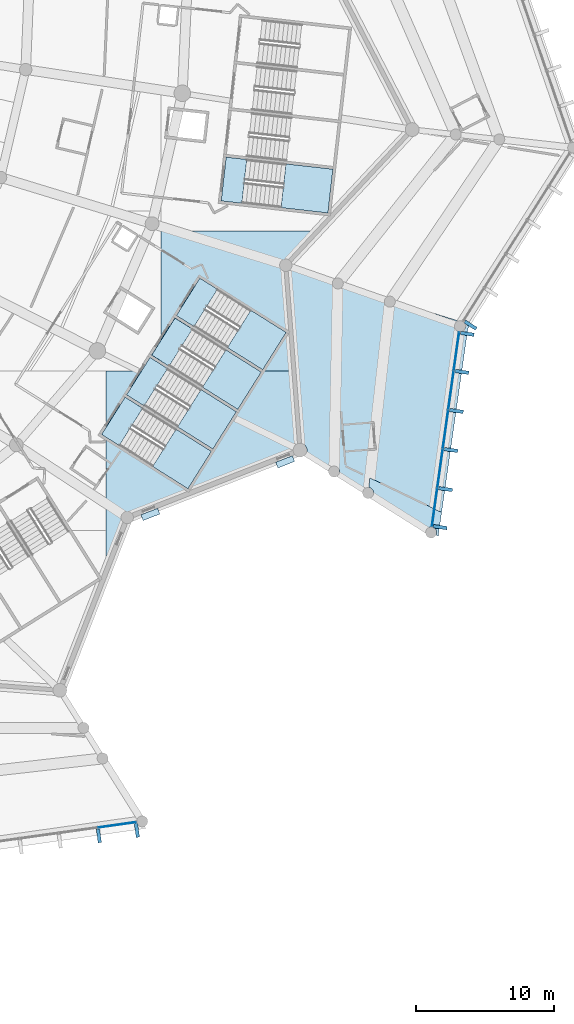
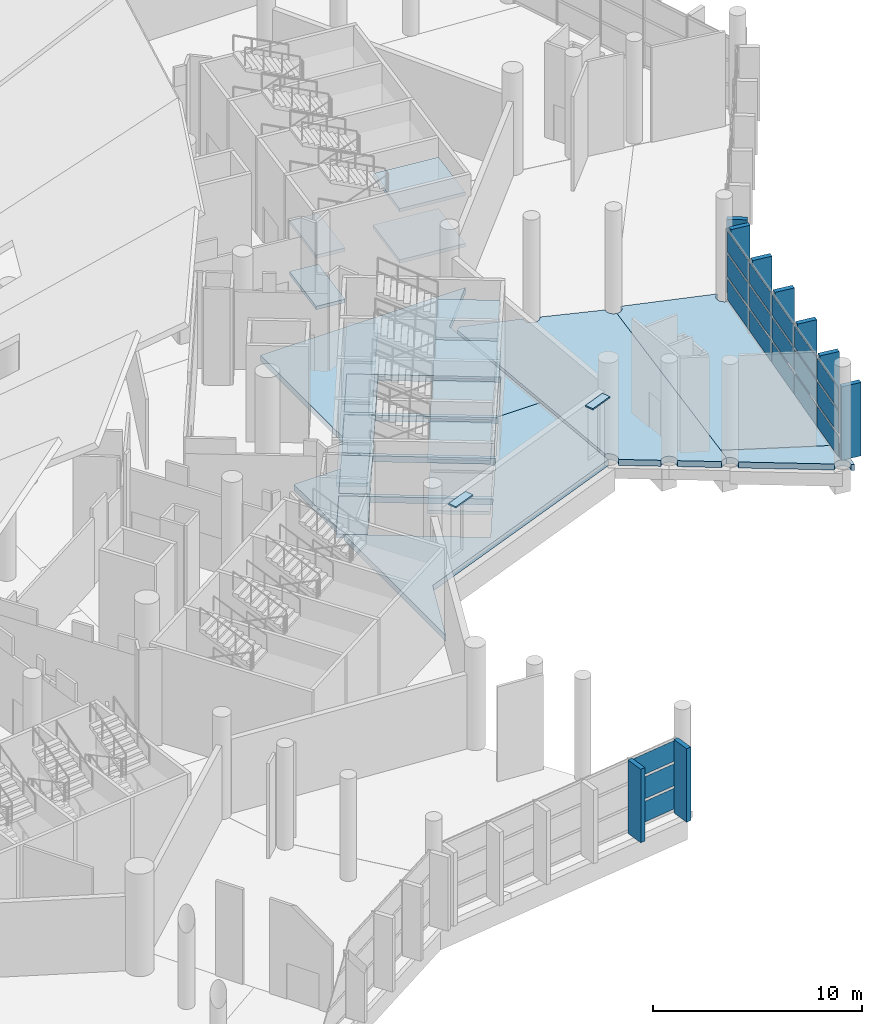
# One storey, part 111 of 249: 29 plates, 25 slabs, 7 elements without a shape of their own.
"""IFC4 building model written with IfcOpenShell, lengths in metres."""

from ifc_helpers import new_model, si_unit, direction, frame, origin, origin_2d, place, context, subcontext, project, spatial, polyline, rectangle, outline, extrude, material, layer, layer_set, type_object, element, aggregate, save


model = new_model("IFC4")

# Units and contexts
model_context = context("Model", 3, precision=1e-05, world=origin(), true_north=direction((0.0, 1.0)))
body_context = subcontext(model_context, "Body", "Model", "MODEL_VIEW")
ifc_project = project(units=[si_unit("LENGTHUNIT", "METRE"), si_unit("AREAUNIT", "SQUARE_METRE"), si_unit("VOLUMEUNIT", "CUBIC_METRE"), si_unit("PLANEANGLEUNIT", "RADIAN"), si_unit("MASSUNIT", "GRAM", prefix="KILO")], contexts=[model_context])

# Site, building, storey
site_placement = place(None, origin())
site = spatial("IfcSite", under=ifc_project, at=site_placement, CompositionType="ELEMENT")
building_placement = place(site_placement, origin())
building = spatial("IfcBuilding", under=site, at=building_placement, Name="Meseta Stadium", CompositionType="ELEMENT")
storey_placement = place(building_placement, frame((0.0, 0.0, 12.0)))
storey = spatial("IfcBuildingStorey", under=building, at=storey_placement, Name="L02", CompositionType="ELEMENT", Elevation=12.0)

# Slabs
ifc_material_1 = material(Name="Concrete C40/50", Category="concrete")
ifc_layer_1 = layer(ifc_material_1, 0.35009765625)
ifc_layer_set_1 = layer_set([ifc_layer_1], Name="Floor slab 350")
slab_type_1 = type_object("IfcSlabType", Name="Floor slab 350", PredefinedType="FLOOR", material=ifc_layer_set_1)
slab_1_placement = place(storey_placement, frame((0.0, 0.0, -0.35009765625)))
element("IfcSlab", 1, at=slab_1_placement, inside=storey, type_object=slab_type_1, Name="Floor slab L02 sector 49 panel 12", PredefinedType="FLOOR", context=body_context, shape_type="SweptSolid", body=[
    extrude(outline(polyline([(82.8271484375, -73.02197265625), (82.8271484375, -73.258056640625), (88.282958984375, -76.686279296875), (86.58056640625, -79.395751953125), (80.314697265625, -75.458740234375), (81.408203125, -73.718505859375), (78.825927734375, -73.718505859375), (78.825927734375, -77.828125), (80.208251953125, -75.628173828125), (86.47412109375, -79.565185546875), (84.771484375, -82.274658203125), (78.825927734375, -78.538818359375), (78.825927734375, -88.313720703125), (80.365478515625, -84.365478515625), (92.908447265625, -79.474609375), (92.46435546875, -73.718505859375), (89.95068359375, -73.718505859375), (90.091796875, -73.807373046875), (88.389404296875, -76.516845703125), (82.8271484375, -73.02197265625)])), origin(), (0.0, 0.0, 1.0), 0.35009765625),
])
slab_2_placement = place(storey_placement, frame((0.0, 0.0, -0.35009765625)))
element("IfcSlab", 2, at=slab_2_placement, inside=storey, type_object=slab_type_1, Name="Floor slab L02 sector 49 panel 13", PredefinedType="FLOOR", context=body_context, shape_type="SweptSolid", body=[
    extrude(outline(polyline([(92.46435546875, -73.718505859375), (91.872802734375, -66.051513671875), (94.17626953125, -63.580078125), (82.8271484375, -63.580078125), (82.8271484375, -71.46044921875), (83.826171875, -69.870361328125), (89.95068359375, -73.718505859375), (92.46435546875, -73.718505859375)]), holes=[polyline([(85.635009765625, -66.991455078125), (91.90087890625, -70.9287109375), (90.1982421875, -73.63818359375), (83.9326171875, -69.700927734375), (85.635009765625, -66.991455078125)])]), origin(), (0.0, 0.0, 1.0), 0.35009765625),
])
slab_3_placement = place(storey_placement, frame((0.0, 0.0, -0.35009765625)))
element("IfcSlab", 3, at=slab_3_placement, inside=storey, type_object=slab_type_1, Name="Ring floor slab L02 8 part 1 panel 01", PredefinedType="FLOOR", context=body_context, shape_type="SweptSolid", body=[
    extrude(outline(polyline([(93.395751953125, -79.60498046875), (93.3544921875, -79.704345703125), (95.066162109375, -80.77978515625), (95.094970703125, -80.7421875), (95.178466796875, -80.67822265625), (95.27587890625, -80.637939453125), (95.380126953125, -80.624267578125), (95.484619140625, -80.637939453125), (95.581787109375, -80.67822265625), (95.66552734375, -80.7421875), (95.7294921875, -80.825927734375), (95.77001953125, -80.923095703125), (95.78369140625, -81.027587890625), (95.77001953125, -81.132080078125), (95.740478515625, -81.203369140625), (97.537841796875, -82.332763671875), (97.566650390625, -82.29541015625), (97.650146484375, -82.231201171875), (97.747314453125, -82.19091796875), (97.851806640625, -82.17724609375), (97.89697265625, -82.18310546875), (99.37890625, -69.09130859375), (99.3193359375, -69.08349609375), (99.22216796875, -69.043212890625), (99.138427734375, -68.97900390625), (99.074462890625, -68.8955078125), (99.0341796875, -68.798095703125), (99.020263671875, -68.69384765625), (99.0341796875, -68.58935546875), (99.045654296875, -68.5615234375), (96.0263671875, -67.5048828125), (95.997802734375, -67.574462890625), (95.93359375, -67.657958984375), (95.85009765625, -67.72216796875), (95.752685546875, -67.762451171875), (95.648193359375, -67.776123046875), (95.543701171875, -67.762451171875), (95.446533203125, -67.72216796875), (95.363037109375, -67.657958984375), (95.298828125, -67.574462890625), (95.258544921875, -67.47705078125), (95.244873046875, -67.372802734375), (95.258544921875, -67.268310546875), (95.272705078125, -67.234375), (92.2578125, -66.2890625), (92.193603515625, -66.37255859375), (92.099609375, -66.444580078125), (92.054931640625, -66.463134765625), (93.021240234375, -78.985107421875), (93.0390625, -78.9873046875), (93.16064453125, -79.037841796875), (93.26513671875, -79.117919921875), (93.34521484375, -79.222412109375), (93.395751953125, -79.343994140625), (93.412841796875, -79.474609375), (93.395751953125, -79.60498046875)])), origin(), (0.0, 0.0, 1.0), 0.35009765625),
])
slab_4_placement = place(storey_placement, frame((0.0, 0.0, -0.35009765625)))
element("IfcSlab", 4, at=slab_4_placement, inside=storey, type_object=slab_type_1, Name="Ring floor slab L02 8 part 1 panel 03", PredefinedType="FLOOR", context=body_context, shape_type="SweptSolid", body=[
    extrude(outline(polyline([(102.81396484375, -85.55810546875), (102.784423828125, -85.62939453125), (102.93798828125, -85.725830078125), (103.0263671875, -85.106201171875), (103.027587890625, -85.1044921875), (103.186279296875, -83.992919921875), (97.9755859375, -81.487060546875), (97.89697265625, -82.18310546875), (97.956298828125, -82.19091796875), (98.0537109375, -82.231201171875), (98.13720703125, -82.29541015625), (98.201416015625, -82.37890625), (98.24169921875, -82.476318359375), (98.25537109375, -82.580810546875), (98.24169921875, -82.68505859375), (98.212158203125, -82.75634765625), (102.110107421875, -85.205810546875), (102.138916015625, -85.16845703125), (102.222412109375, -85.104248046875), (102.31982421875, -85.06396484375), (102.42431640625, -85.05029296875), (102.479736328125, -85.0576171875), (102.528564453125, -85.06396484375), (102.6259765625, -85.104248046875), (102.70947265625, -85.16845703125), (102.773681640625, -85.251953125), (102.81396484375, -85.34912109375), (102.82763671875, -85.45361328125), (102.81396484375, -85.55810546875)])), origin(), (0.0, 0.0, 1.0), 0.35009765625),
])
slab_5_placement = place(storey_placement, frame((0.0, 0.0, -0.35009765625)))
element("IfcSlab", 5, at=slab_5_placement, inside=storey, type_object=slab_type_1, Name="Ring floor slab L02 8 part 1 panel 04", PredefinedType="FLOOR", context=body_context, shape_type="SweptSolid", body=[
    extrude(outline(polyline([(104.319091796875, -70.82666015625), (104.235595703125, -70.7626953125), (104.17138671875, -70.678955078125), (104.131103515625, -70.581787109375), (104.1171875, -70.477294921875), (104.131103515625, -70.372802734375), (104.17138671875, -70.275634765625), (104.235595703125, -70.19189453125), (104.319091796875, -70.1279296875), (104.397705078125, -70.09521484375), (99.822998046875, -68.660888671875), (99.8271484375, -68.69384765625), (99.8134765625, -68.798095703125), (99.773193359375, -68.8955078125), (99.708984375, -68.97900390625), (99.62548828125, -69.043212890625), (99.5283203125, -69.08349609375), (99.423828125, -69.09716796875), (99.37890625, -69.09130859375), (97.9755859375, -81.487060546875), (103.186279296875, -83.992919921875), (105.087158203125, -70.675537109375), (105.27880859375, -70.37158203125), (104.837646484375, -70.233154296875), (104.8701171875, -70.275634765625), (104.910400390625, -70.372802734375), (104.92431640625, -70.477294921875), (104.910400390625, -70.581787109375), (104.8701171875, -70.678955078125), (104.805908203125, -70.7626953125), (104.722412109375, -70.82666015625), (104.625244140625, -70.866943359375), (104.520751953125, -70.880859375), (104.416259765625, -70.866943359375), (104.319091796875, -70.82666015625)])), origin(), (0.0, 0.0, 1.0), 0.35009765625),
])

# Plates
ifc_material_2 = material(Name="White precast concrete C40/50", Category="concrete")
ifc_layer_2 = layer(ifc_material_2, 0.080078125)
ifc_layer_set_2 = layer_set([ifc_layer_2], Name="Louvre hood 1300x450")
plate_type_1 = type_object("IfcPlateType", Name="Louvre hood 1300x450", PredefinedType="USERDEFINED", material=ifc_layer_set_2)
for number, where, z_axis, x_axis, name in (
    (6, (82.0478515625, -84.138671875, 4.25), (0.0, 0.0, 1.0), (0.931679912901, 0.363280249803, 0.0), "Louvre hood L02 F53"),
    (7, (91.83056640625, -80.32421875, 4.25), (0.0, 0.0, 1.0), (0.931679912901, 0.363280249803, 0.0), "Louvre hood L02 F53"),
):
    element("IfcPlate", number, at=place(storey_placement, frame(where, z_axis=z_axis, x_axis=x_axis)), inside=storey, type_object=plate_type_1, Name=name, ObjectType="LOUVRE", PredefinedType="USERDEFINED", context=body_context, shape_type="SweptSolid", body=[
        extrude(rectangle(XDim=1.300048828125, YDim=0.449951171875, at=origin_2d()), origin(), (0.0, 0.0, 1.0), 0.080078125),
    ])

# Curtain wall, plates
ifc_material_3 = material(Name="Aluminium", Category="aluminium")
ifc_layer_3 = layer(ifc_material_3, 0.199951171875)
ifc_layer_set_3 = layer_set([ifc_layer_3], Name="Ring shopfront curtain wall")
curtain_wall_type = type_object("IfcCurtainWallType", Name="Ring shopfront curtain wall", PredefinedType="NOTDEFINED", material=ifc_layer_set_3)
curtain_wall_1_placement = place(storey_placement, origin())
curtain_wall_1 = element("IfcCurtainWall", 8, at=curtain_wall_1_placement, inside=storey, type_object=curtain_wall_type, Name="Ring glazing L02 F51", PredefinedType="NOTDEFINED")
ifc_material_4 = material(Name="Glass", Category="glass")
ifc_layer_4 = layer(ifc_material_4, 0.035888671875)
ifc_layer_set_4 = layer_set([ifc_layer_4], Name="Ring CW glass panel 36")
plate_type_2 = type_object("IfcPlateType", Name="Ring CW glass panel 36", PredefinedType="CURTAIN_PANEL", material=ifc_layer_set_4)
plate_1_placement = place(storey_placement, frame((79.624267578125, -106.68017578125, 0.14990234375), z_axis=(0.0, 0.0, 1.0), x_axis=(0.990342456098, 0.13864277713, 0.0)))
plate_1 = element("IfcPlate", 9, at=plate_1_placement, type_object=plate_type_2, Name="CWR1 panel 5.1", PredefinedType="CURTAIN_PANEL", context=body_context, shape_type="SweptSolid", body=[
    extrude(rectangle(XDim=2.7744140625, YDim=0.035888671875, at=origin_2d()), origin(), (0.0, 0.0, 1.0), 1.208251953125),
])
plate_2_placement = place(storey_placement, frame((79.624267578125, -106.68017578125, 1.50830078125), z_axis=(0.0, 0.0, 1.0), x_axis=(0.990342456098, 0.13864277713, 0.0)))
plate_2 = element("IfcPlate", 10, at=plate_2_placement, type_object=plate_type_2, Name="CWR1 panel 5.2", PredefinedType="CURTAIN_PANEL", context=body_context, shape_type="SweptSolid", body=[
    extrude(rectangle(XDim=2.7744140625, YDim=0.035888671875, at=origin_2d()), origin(), (0.0, 0.0, 1.0), 1.283447265625),
])
plate_3_placement = place(storey_placement, frame((79.624267578125, -106.68017578125, 2.94189453125), z_axis=(0.0, 0.0, 1.0), x_axis=(0.990342456098, 0.13864277713, 0.0)))
plate_3 = element("IfcPlate", 11, at=plate_3_placement, type_object=plate_type_2, Name="CWR1 panel 5.3", PredefinedType="CURTAIN_PANEL", context=body_context, shape_type="SweptSolid", body=[
    extrude(rectangle(XDim=2.7744140625, YDim=0.035888671875, at=origin_2d()), origin(), (0.0, 0.0, 1.0), 1.208251953125),
])
aggregate(curtain_wall_1, [plate_1, plate_2, plate_3])

curtain_wall_2_placement = place(storey_placement, origin())
curtain_wall_2 = element("IfcCurtainWall", 12, at=curtain_wall_2_placement, inside=storey, type_object=curtain_wall_type, Name="Ring glazing L02 F54", PredefinedType="NOTDEFINED")
plate_4_placement = place(storey_placement, frame((102.68017578125, -83.624267578125, 0.14990234375), z_axis=(0.0, 0.0, 1.0), x_axis=(0.13864277713, 0.990342456098, 0.0)))
plate_4 = element("IfcPlate", 13, at=plate_4_placement, type_object=plate_type_2, Name="CWR1 panel 1.1", PredefinedType="CURTAIN_PANEL", context=body_context, shape_type="SweptSolid", body=[
    extrude(rectangle(XDim=2.7744140625, YDim=0.035888671875, at=origin_2d()), origin(), (0.0, 0.0, 1.0), 1.208251953125),
])
plate_5_placement = place(storey_placement, frame((102.68017578125, -83.624267578125, 1.50830078125), z_axis=(0.0, 0.0, 1.0), x_axis=(0.13864277713, 0.990342456098, 0.0)))
plate_5 = element("IfcPlate", 14, at=plate_5_placement, type_object=plate_type_2, Name="CWR1 panel 1.2", PredefinedType="CURTAIN_PANEL", context=body_context, shape_type="SweptSolid", body=[
    extrude(rectangle(XDim=2.7744140625, YDim=0.035888671875, at=origin_2d()), origin(), (0.0, 0.0, 1.0), 1.283447265625),
])
plate_6_placement = place(storey_placement, frame((102.68017578125, -83.624267578125, 2.94189453125), z_axis=(0.0, 0.0, 1.0), x_axis=(0.13864277713, 0.990342456098, 0.0)))
plate_6 = element("IfcPlate", 15, at=plate_6_placement, type_object=plate_type_2, Name="CWR1 panel 1.3", PredefinedType="CURTAIN_PANEL", context=body_context, shape_type="SweptSolid", body=[
    extrude(rectangle(XDim=2.7744140625, YDim=0.035888671875, at=origin_2d()), origin(), (0.0, 0.0, 1.0), 1.208251953125),
])
plate_7_placement = place(storey_placement, frame((103.0751953125, -80.80224609375, 0.14990234375), z_axis=(0.0, 0.0, 1.0), x_axis=(0.13864277713, 0.990342456098, 0.0)))
plate_7 = element("IfcPlate", 16, at=plate_7_placement, type_object=plate_type_2, Name="CWR1 panel 2.1", PredefinedType="CURTAIN_PANEL", context=body_context, shape_type="SweptSolid", body=[
    extrude(rectangle(XDim=2.804443359375, YDim=0.035888671875, at=origin_2d()), origin(), (0.0, 0.0, 1.0), 1.208251953125),
])
plate_8_placement = place(storey_placement, frame((103.0751953125, -80.80224609375, 1.50830078125), z_axis=(0.0, 0.0, 1.0), x_axis=(0.13864277713, 0.990342456098, 0.0)))
plate_8 = element("IfcPlate", 17, at=plate_8_placement, type_object=plate_type_2, Name="CWR1 panel 2.2", PredefinedType="CURTAIN_PANEL", context=body_context, shape_type="SweptSolid", body=[
    extrude(rectangle(XDim=2.804443359375, YDim=0.035888671875, at=origin_2d()), origin(), (0.0, 0.0, 1.0), 1.283447265625),
])
plate_9_placement = place(storey_placement, frame((103.0751953125, -80.80224609375, 2.94189453125), z_axis=(0.0, 0.0, 1.0), x_axis=(0.13864277713, 0.990342456098, 0.0)))
plate_9 = element("IfcPlate", 18, at=plate_9_placement, type_object=plate_type_2, Name="CWR1 panel 2.3", PredefinedType="CURTAIN_PANEL", context=body_context, shape_type="SweptSolid", body=[
    extrude(rectangle(XDim=2.804443359375, YDim=0.035888671875, at=origin_2d()), origin(), (0.0, 0.0, 1.0), 1.208251953125),
])
plate_10_placement = place(storey_placement, frame((103.472412109375, -77.96533203125, 0.14990234375), z_axis=(0.0, 0.0, 1.0), x_axis=(0.13864277713, 0.990342456098, 0.0)))
plate_10 = element("IfcPlate", 19, at=plate_10_placement, type_object=plate_type_2, Name="CWR1 panel 3.1", PredefinedType="CURTAIN_PANEL", context=body_context, shape_type="SweptSolid", body=[
    extrude(rectangle(XDim=2.804443359375, YDim=0.035888671875, at=origin_2d()), origin(), (0.0, 0.0, 1.0), 1.208251953125),
])
plate_11_placement = place(storey_placement, frame((103.472412109375, -77.96533203125, 1.50830078125), z_axis=(0.0, 0.0, 1.0), x_axis=(0.13864277713, 0.990342456098, 0.0)))
plate_11 = element("IfcPlate", 20, at=plate_11_placement, type_object=plate_type_2, Name="CWR1 panel 3.2", PredefinedType="CURTAIN_PANEL", context=body_context, shape_type="SweptSolid", body=[
    extrude(rectangle(XDim=2.804443359375, YDim=0.035888671875, at=origin_2d()), origin(), (0.0, 0.0, 1.0), 1.283447265625),
])
plate_12_placement = place(storey_placement, frame((103.472412109375, -77.96533203125, 2.94189453125), z_axis=(0.0, 0.0, 1.0), x_axis=(0.13864277713, 0.990342456098, 0.0)))
plate_12 = element("IfcPlate", 21, at=plate_12_placement, type_object=plate_type_2, Name="CWR1 panel 3.3", PredefinedType="CURTAIN_PANEL", context=body_context, shape_type="SweptSolid", body=[
    extrude(rectangle(XDim=2.804443359375, YDim=0.035888671875, at=origin_2d()), origin(), (0.0, 0.0, 1.0), 1.208251953125),
])
plate_13_placement = place(storey_placement, frame((103.86962890625, -75.128662109375, 0.14990234375), z_axis=(0.0, 0.0, 1.0), x_axis=(0.13864277713, 0.990342456098, 0.0)))
plate_13 = element("IfcPlate", 22, at=plate_13_placement, type_object=plate_type_2, Name="CWR1 panel 4.1", PredefinedType="CURTAIN_PANEL", context=body_context, shape_type="SweptSolid", body=[
    extrude(rectangle(XDim=2.804443359375, YDim=0.035888671875, at=origin_2d()), origin(), (0.0, 0.0, 1.0), 1.208251953125),
])
plate_14_placement = place(storey_placement, frame((103.86962890625, -75.128662109375, 1.50830078125), z_axis=(0.0, 0.0, 1.0), x_axis=(0.13864277713, 0.990342456098, 0.0)))
plate_14 = element("IfcPlate", 23, at=plate_14_placement, type_object=plate_type_2, Name="CWR1 panel 4.2", PredefinedType="CURTAIN_PANEL", context=body_context, shape_type="SweptSolid", body=[
    extrude(rectangle(XDim=2.804443359375, YDim=0.035888671875, at=origin_2d()), origin(), (0.0, 0.0, 1.0), 1.283447265625),
])
plate_15_placement = place(storey_placement, frame((103.86962890625, -75.128662109375, 2.94189453125), z_axis=(0.0, 0.0, 1.0), x_axis=(0.13864277713, 0.990342456098, 0.0)))
plate_15 = element("IfcPlate", 24, at=plate_15_placement, type_object=plate_type_2, Name="CWR1 panel 4.3", PredefinedType="CURTAIN_PANEL", context=body_context, shape_type="SweptSolid", body=[
    extrude(rectangle(XDim=2.804443359375, YDim=0.035888671875, at=origin_2d()), origin(), (0.0, 0.0, 1.0), 1.208251953125),
])
plate_16_placement = place(storey_placement, frame((104.2646484375, -72.306640625, 0.14990234375), z_axis=(0.0, 0.0, 1.0), x_axis=(0.13864277713, 0.990342456098, 0.0)))
plate_16 = element("IfcPlate", 25, at=plate_16_placement, type_object=plate_type_2, Name="CWR1 panel 5.1", PredefinedType="CURTAIN_PANEL", context=body_context, shape_type="SweptSolid", body=[
    extrude(rectangle(XDim=2.7744140625, YDim=0.035888671875, at=origin_2d()), origin(), (0.0, 0.0, 1.0), 1.208251953125),
])
plate_17_placement = place(storey_placement, frame((104.2646484375, -72.306640625, 1.50830078125), z_axis=(0.0, 0.0, 1.0), x_axis=(0.13864277713, 0.990342456098, 0.0)))
plate_17 = element("IfcPlate", 26, at=plate_17_placement, type_object=plate_type_2, Name="CWR1 panel 5.2", PredefinedType="CURTAIN_PANEL", context=body_context, shape_type="SweptSolid", body=[
    extrude(rectangle(XDim=2.7744140625, YDim=0.035888671875, at=origin_2d()), origin(), (0.0, 0.0, 1.0), 1.283447265625),
])
plate_18_placement = place(storey_placement, frame((104.2646484375, -72.306640625, 2.94189453125), z_axis=(0.0, 0.0, 1.0), x_axis=(0.13864277713, 0.990342456098, 0.0)))
plate_18 = element("IfcPlate", 27, at=plate_18_placement, type_object=plate_type_2, Name="CWR1 panel 5.3", PredefinedType="CURTAIN_PANEL", context=body_context, shape_type="SweptSolid", body=[
    extrude(rectangle(XDim=2.7744140625, YDim=0.035888671875, at=origin_2d()), origin(), (0.0, 0.0, 1.0), 1.208251953125),
])
aggregate(curtain_wall_2, [plate_4, plate_5, plate_6, plate_7, plate_8, plate_9, plate_10, plate_11, plate_12, plate_13, plate_14, plate_15, plate_16, plate_17, plate_18])

# Plates
ifc_material_5 = material(Name="Precast concrete C40/50", Category="concrete")
ifc_layer_5 = layer(ifc_material_5, 0.25)
ifc_layer_set_5 = layer_set([ifc_layer_5], Name="Ring brise-soleil fin 250x1000")
plate_type_3 = type_object("IfcPlateType", Name="Ring brise-soleil fin 250x1000", PredefinedType="USERDEFINED", material=ifc_layer_set_5)
for number, where, z_axis, x_axis, name in (
    (28, (78.303955078125, -107.470947265625, 0.0), (0.0, 0.0, 1.0), (0.990342739746, 0.138640750978, 0.0), "Brise-soleil fin L02 F51.5"),
    (29, (81.06640625, -107.084228515625, 0.0), (0.0, 0.0, 1.0), (0.990342739746, 0.138640750978, 0.0), "Brise-soleil fin L02 F51.6"),
    (30, (103.084228515625, -85.06640625, 0.0), (0.0, 0.0, 1.0), (0.138640750978, 0.990342739746, 0.0), "Brise-soleil fin L02 F54.1"),
    (31, (103.470947265625, -82.303955078125, 0.0), (0.0, 0.0, 1.0), (0.138640750978, 0.990342739746, 0.0), "Brise-soleil fin L02 F54.2"),
    (32, (103.8681640625, -79.467041015625, 0.0), (0.0, 0.0, 1.0), (0.138640750978, 0.990342739746, 0.0), "Brise-soleil fin L02 F54.3"),
    (33, (104.26513671875, -76.63037109375, 0.0), (0.0, 0.0, 1.0), (0.138640750978, 0.990342739746, 0.0), "Brise-soleil fin L02 F54.4"),
    (34, (104.662353515625, -73.79345703125, 0.0), (0.0, 0.0, 1.0), (0.138640750978, 0.990342739746, 0.0), "Brise-soleil fin L02 F54.5"),
    (35, (105.049072265625, -71.031005859375, 0.0), (0.0, 0.0, 1.0), (0.138640750978, 0.990342739746, 0.0), "Brise-soleil fin L02 F54.6"),
    (36, (105.281982421875, -70.3974609375, 0.0), (0.0, 0.0, 1.0), (0.5355688847, 0.844491545098, 0.0), "Brise-soleil fin L02 F55.1"),
):
    element("IfcPlate", number, at=place(storey_placement, frame(where, z_axis=z_axis, x_axis=x_axis)), inside=storey, type_object=plate_type_3, Name=name, ObjectType="FIN", PredefinedType="USERDEFINED", context=body_context, shape_type="SweptSolid", body=[
        extrude(rectangle(XDim=0.25, YDim=1.0, at=origin_2d()), origin(), (0.0, 0.0, 1.0), 4.300048828125),
    ])

# Stair, slabs
ifc_material_6 = material(Name="Concrete C40/50", Category="concrete")
stair_type = type_object("IfcStairType", Name="Exit stair 4 flights 150 mm risers", PredefinedType="HALF_TURN_STAIR", material=ifc_material_6)
stair_1_placement = place(storey_placement, origin())
stair_1 = element("IfcStair", 37, at=stair_1_placement, inside=storey, type_object=stair_type, Name="ST1 L02", PredefinedType="HALF_TURN_STAIR")
ifc_material_7 = material(Name="Concrete C40/50", Category="concrete")
ifc_layer_6 = layer(ifc_material_7, 0.199951171875)
ifc_layer_set_6 = layer_set([ifc_layer_6], Name="Stair landing 200")
slab_type_2 = type_object("IfcSlabType", Name="Stair landing 200", PredefinedType="LANDING", material=ifc_layer_set_6)
slab_6_placement = place(storey_placement, frame((0.0, 0.0, 1.300048828125)))
slab_6 = element("IfcSlab", 38, at=slab_6_placement, type_object=slab_type_2, Name="ST1 L02 landing 1", PredefinedType="LANDING", context=body_context, shape_type="SweptSolid", body=[
    extrude(outline(polyline([(91.527099609375, -61.8720703125), (94.935546875, -62.256103515625), (95.293701171875, -59.076171875), (91.88525390625, -58.692138671875), (91.527099609375, -61.8720703125)])), origin(), (0.0, 0.0, 1.0), 0.199951171875),
])
slab_7_placement = place(storey_placement, frame((0.0, 0.0, 2.800048828125)))
slab_7 = element("IfcSlab", 39, at=slab_7_placement, type_object=slab_type_2, Name="ST1 L02 landing 2", PredefinedType="LANDING", context=body_context, shape_type="SweptSolid", body=[
    extrude(outline(polyline([(87.1845703125, -61.3828125), (88.68505859375, -61.5517578125), (89.043212890625, -58.3720703125), (87.542724609375, -58.202880859375), (87.1845703125, -61.3828125)])), origin(), (0.0, 0.0, 1.0), 0.199951171875),
])
slab_8_placement = place(storey_placement, frame((0.0, 0.0, 4.300048828125)))
slab_8 = element("IfcSlab", 40, at=slab_8_placement, type_object=slab_type_2, Name="ST1 L02 landing 3", PredefinedType="LANDING", context=body_context, shape_type="SweptSolid", body=[
    extrude(outline(polyline([(91.527099609375, -61.8720703125), (94.935546875, -62.256103515625), (95.293701171875, -59.076171875), (91.88525390625, -58.692138671875), (91.527099609375, -61.8720703125)])), origin(), (0.0, 0.0, 1.0), 0.199951171875),
])
slab_9_placement = place(storey_placement, frame((0.0, 0.0, -0.199951171875)))
slab_9 = element("IfcSlab", 41, at=slab_9_placement, type_object=slab_type_2, Name="ST1 L02 landing 4", PredefinedType="LANDING", context=body_context, shape_type="SweptSolid", body=[
    extrude(outline(polyline([(87.1845703125, -61.3828125), (88.68505859375, -61.5517578125), (89.043212890625, -58.3720703125), (87.542724609375, -58.202880859375), (87.1845703125, -61.3828125)])), origin(), (0.0, 0.0, 1.0), 0.199951171875),
])
aggregate(stair_1, [slab_6, slab_7, slab_8, slab_9])

stair_2_placement = place(storey_placement, origin())
stair_2 = element("IfcStair", 42, at=stair_2_placement, inside=storey, type_object=stair_type, Name="ST109 L02", PredefinedType="HALF_TURN_STAIR")
slab_10_placement = place(storey_placement, frame((0.0, 0.0, 1.300048828125)))
slab_10 = element("IfcSlab", 43, at=slab_10_placement, type_object=slab_type_2, Name="ST109 L02 landing 1", PredefinedType="LANDING", context=body_context, shape_type="SweptSolid", body=[
    extrude(outline(polyline([(82.2060546875, -80.66259765625), (84.771484375, -82.274658203125), (86.47412109375, -79.565185546875), (83.908447265625, -77.953125), (82.2060546875, -80.66259765625)])), origin(), (0.0, 0.0, 1.0), 0.199951171875),
])
slab_11_placement = place(storey_placement, frame((0.0, 0.0, 2.800048828125)))
slab_11 = element("IfcSlab", 44, at=slab_11_placement, type_object=slab_type_2, Name="ST109 L02 landing 2", PredefinedType="LANDING", context=body_context, shape_type="SweptSolid", body=[
    extrude(outline(polyline([(78.505859375, -78.337646484375), (79.784423828125, -79.140869140625), (81.48681640625, -76.431396484375), (80.208251953125, -75.628173828125), (78.505859375, -78.337646484375)])), origin(), (0.0, 0.0, 1.0), 0.199951171875),
])
slab_12_placement = place(storey_placement, frame((0.0, 0.0, 4.300048828125)))
slab_12 = element("IfcSlab", 45, at=slab_12_placement, type_object=slab_type_2, Name="ST109 L02 landing 3", PredefinedType="LANDING", context=body_context, shape_type="SweptSolid", body=[
    extrude(outline(polyline([(82.2060546875, -80.66259765625), (84.771484375, -82.274658203125), (86.47412109375, -79.565185546875), (83.908447265625, -77.953125), (82.2060546875, -80.66259765625)])), origin(), (0.0, 0.0, 1.0), 0.199951171875),
])
slab_13_placement = place(storey_placement, frame((0.0, 0.0, -0.199951171875)))
slab_13 = element("IfcSlab", 46, at=slab_13_placement, type_object=slab_type_2, Name="ST109 L02 landing 4", PredefinedType="LANDING", context=body_context, shape_type="SweptSolid", body=[
    extrude(outline(polyline([(78.505859375, -78.337646484375), (79.784423828125, -79.140869140625), (81.48681640625, -76.431396484375), (80.208251953125, -75.628173828125), (78.505859375, -78.337646484375)])), origin(), (0.0, 0.0, 1.0), 0.199951171875),
])
aggregate(stair_2, [slab_10, slab_11, slab_12, slab_13])

stair_3_placement = place(storey_placement, origin())
stair_3 = element("IfcStair", 47, at=stair_3_placement, inside=storey, type_object=stair_type, Name="ST110 L02", PredefinedType="HALF_TURN_STAIR")
slab_14_placement = place(storey_placement, frame((0.0, 0.0, 1.300048828125)))
slab_14 = element("IfcSlab", 48, at=slab_14_placement, type_object=slab_type_2, Name="ST110 L02 landing 1", PredefinedType="LANDING", context=body_context, shape_type="SweptSolid", body=[
    extrude(outline(polyline([(84.014892578125, -77.78369140625), (86.58056640625, -79.395751953125), (88.282958984375, -76.686279296875), (85.717529296875, -75.07421875), (84.014892578125, -77.78369140625)])), origin(), (0.0, 0.0, 1.0), 0.199951171875),
])
slab_15_placement = place(storey_placement, frame((0.0, 0.0, 2.800048828125)))
slab_15 = element("IfcSlab", 49, at=slab_15_placement, type_object=slab_type_2, Name="ST110 L02 landing 2", PredefinedType="LANDING", context=body_context, shape_type="SweptSolid", body=[
    extrude(outline(polyline([(80.314697265625, -75.458740234375), (81.59326171875, -76.26220703125), (83.2958984375, -73.552490234375), (82.017333984375, -72.749267578125), (80.314697265625, -75.458740234375)])), origin(), (0.0, 0.0, 1.0), 0.199951171875),
])
slab_16_placement = place(storey_placement, frame((0.0, 0.0, 4.300048828125)))
slab_16 = element("IfcSlab", 50, at=slab_16_placement, type_object=slab_type_2, Name="ST110 L02 landing 3", PredefinedType="LANDING", context=body_context, shape_type="SweptSolid", body=[
    extrude(outline(polyline([(84.014892578125, -77.78369140625), (86.58056640625, -79.395751953125), (88.282958984375, -76.686279296875), (85.717529296875, -75.07421875), (84.014892578125, -77.78369140625)])), origin(), (0.0, 0.0, 1.0), 0.199951171875),
])
slab_17_placement = place(storey_placement, frame((0.0, 0.0, -0.199951171875)))
slab_17 = element("IfcSlab", 51, at=slab_17_placement, type_object=slab_type_2, Name="ST110 L02 landing 4", PredefinedType="LANDING", context=body_context, shape_type="SweptSolid", body=[
    extrude(outline(polyline([(80.314697265625, -75.458740234375), (81.59326171875, -76.26220703125), (83.2958984375, -73.552490234375), (82.017333984375, -72.749267578125), (80.314697265625, -75.458740234375)])), origin(), (0.0, 0.0, 1.0), 0.199951171875),
])
aggregate(stair_3, [slab_14, slab_15, slab_16, slab_17])

stair_4_placement = place(storey_placement, origin())
stair_4 = element("IfcStair", 52, at=stair_4_placement, inside=storey, type_object=stair_type, Name="ST111 L02", PredefinedType="HALF_TURN_STAIR")
slab_18_placement = place(storey_placement, frame((0.0, 0.0, 1.300048828125)))
slab_18 = element("IfcSlab", 53, at=slab_18_placement, type_object=slab_type_2, Name="ST111 L02 landing 1", PredefinedType="LANDING", context=body_context, shape_type="SweptSolid", body=[
    extrude(outline(polyline([(85.82373046875, -74.90478515625), (88.389404296875, -76.516845703125), (90.091796875, -73.807373046875), (87.5263671875, -72.1953125), (85.82373046875, -74.90478515625)])), origin(), (0.0, 0.0, 1.0), 0.199951171875),
])
slab_19_placement = place(storey_placement, frame((0.0, 0.0, 2.800048828125)))
slab_19 = element("IfcSlab", 54, at=slab_19_placement, type_object=slab_type_2, Name="ST111 L02 landing 2", PredefinedType="LANDING", context=body_context, shape_type="SweptSolid", body=[
    extrude(outline(polyline([(82.12353515625, -72.579833984375), (83.402099609375, -73.38330078125), (85.104736328125, -70.673828125), (83.826171875, -69.870361328125), (82.12353515625, -72.579833984375)])), origin(), (0.0, 0.0, 1.0), 0.199951171875),
])
slab_20_placement = place(storey_placement, frame((0.0, 0.0, 4.300048828125)))
slab_20 = element("IfcSlab", 55, at=slab_20_placement, type_object=slab_type_2, Name="ST111 L02 landing 3", PredefinedType="LANDING", context=body_context, shape_type="SweptSolid", body=[
    extrude(outline(polyline([(85.82373046875, -74.90478515625), (88.389404296875, -76.516845703125), (90.091796875, -73.807373046875), (87.5263671875, -72.1953125), (85.82373046875, -74.90478515625)])), origin(), (0.0, 0.0, 1.0), 0.199951171875),
])
slab_21_placement = place(storey_placement, frame((0.0, 0.0, -0.199951171875)))
slab_21 = element("IfcSlab", 56, at=slab_21_placement, type_object=slab_type_2, Name="ST111 L02 landing 4", PredefinedType="LANDING", context=body_context, shape_type="SweptSolid", body=[
    extrude(outline(polyline([(82.83740234375, -71.466796875), (82.8369140625, -71.467529296875), (82.14013671875, -72.576171875), (82.83349609375, -73.01171875), (82.83447265625, -73.012451171875), (82.83544921875, -73.01318359375), (82.836181640625, -73.01416015625), (82.8369140625, -73.01513671875), (82.837646484375, -73.01611328125), (82.838134765625, -73.01708984375), (82.838623046875, -73.018310546875), (82.8388671875, -73.01953125), (82.839111328125, -73.020751953125), (82.839111328125, -73.02197265625), (82.839111328125, -73.029541015625), (83.402099609375, -73.38330078125), (85.098388671875, -70.683837890625), (83.830078125, -69.886962890625), (82.83740234375, -71.466796875)])), origin(), (0.0, 0.0, 1.0), 0.199951171875),
])
aggregate(stair_4, [slab_18, slab_19, slab_20, slab_21])

stair_5_placement = place(storey_placement, origin())
stair_5 = element("IfcStair", 57, at=stair_5_placement, inside=storey, type_object=stair_type, Name="ST112 L02", PredefinedType="HALF_TURN_STAIR")
slab_22_placement = place(storey_placement, frame((0.0, 0.0, 1.300048828125)))
slab_22 = element("IfcSlab", 58, at=slab_22_placement, type_object=slab_type_2, Name="ST112 L02 landing 1", PredefinedType="LANDING", context=body_context, shape_type="SweptSolid", body=[
    extrude(outline(polyline([(87.6328125, -72.026123046875), (90.1982421875, -73.63818359375), (91.90087890625, -70.928466796875), (89.335205078125, -69.31640625), (87.6328125, -72.026123046875)])), origin(), (0.0, 0.0, 1.0), 0.199951171875),
])
slab_23_placement = place(storey_placement, frame((0.0, 0.0, 2.800048828125)))
slab_23 = element("IfcSlab", 59, at=slab_23_placement, type_object=slab_type_2, Name="ST112 L02 landing 2", PredefinedType="LANDING", context=body_context, shape_type="SweptSolid", body=[
    extrude(outline(polyline([(83.9326171875, -69.700927734375), (85.211181640625, -70.50439453125), (86.91357421875, -67.794921875), (85.635009765625, -66.991455078125), (83.9326171875, -69.700927734375)])), origin(), (0.0, 0.0, 1.0), 0.199951171875),
])
slab_24_placement = place(storey_placement, frame((0.0, 0.0, 4.300048828125)))
slab_24 = element("IfcSlab", 60, at=slab_24_placement, type_object=slab_type_2, Name="ST112 L02 landing 3", PredefinedType="LANDING", context=body_context, shape_type="SweptSolid", body=[
    extrude(outline(polyline([(87.6328125, -72.026123046875), (90.1982421875, -73.63818359375), (91.90087890625, -70.928466796875), (89.335205078125, -69.31640625), (87.6328125, -72.026123046875)])), origin(), (0.0, 0.0, 1.0), 0.199951171875),
])
slab_25_placement = place(storey_placement, frame((0.0, 0.0, -0.199951171875)))
slab_25 = element("IfcSlab", 61, at=slab_25_placement, type_object=slab_type_2, Name="ST112 L02 landing 4", PredefinedType="LANDING", context=body_context, shape_type="SweptSolid", body=[
    extrude(outline(polyline([(83.9326171875, -69.700927734375), (85.211181640625, -70.50439453125), (86.91357421875, -67.794921875), (85.635009765625, -66.991455078125), (83.9326171875, -69.700927734375)])), origin(), (0.0, 0.0, 1.0), 0.199951171875),
])
aggregate(stair_5, [slab_22, slab_23, slab_24, slab_25])

save(model, "model.ifc")
